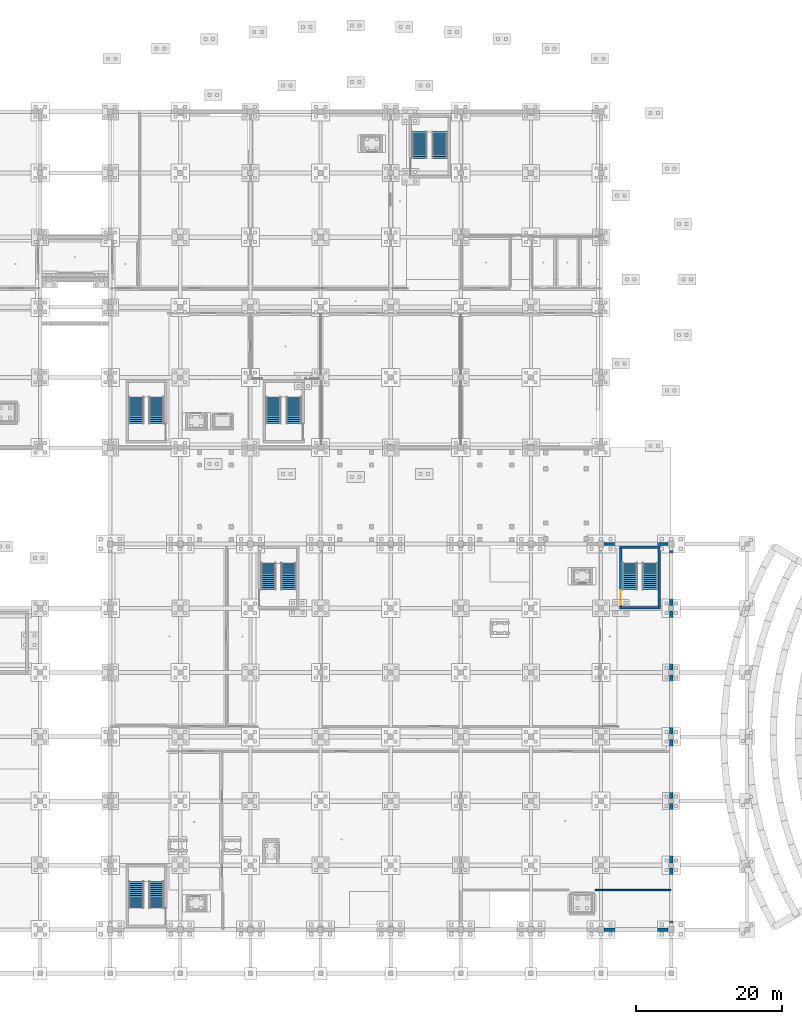
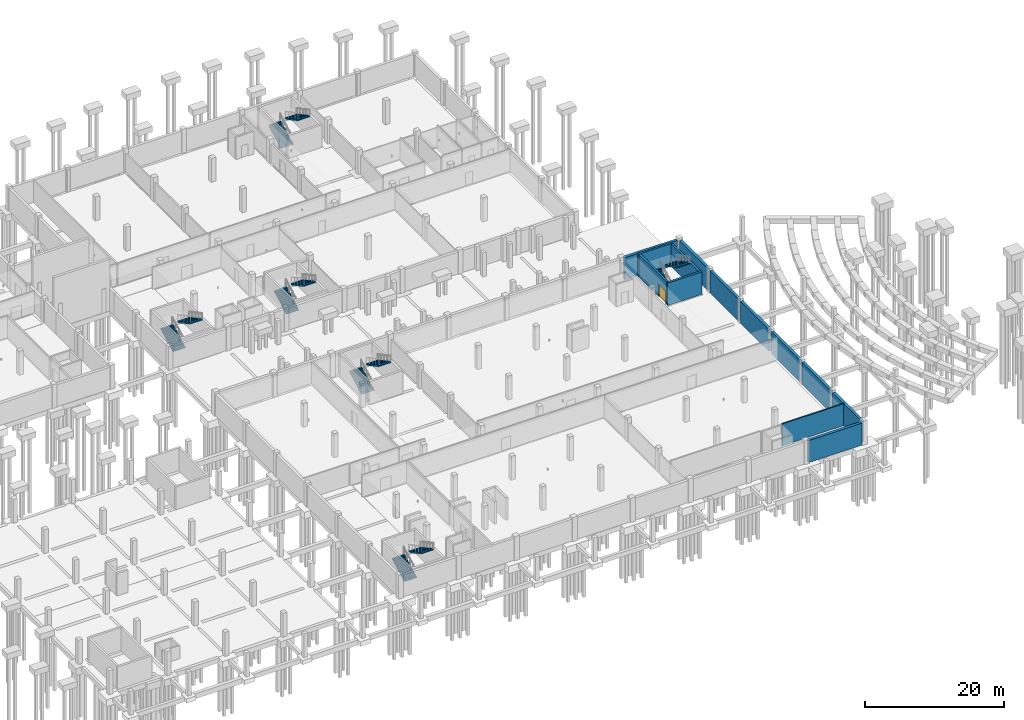
# One storey, part 18 of 31: 13 walls, 12 stair flights, 1 door, 1 opening, 6 elements without a shape of their own.
"""IFC4 building model written with IfcOpenShell, lengths in metres."""

from ifc_helpers import new_model, si_unit, direction, frame, frame_2d, origin, place, context, subcontext, project, spatial, polyline, rectangle, outline, extrude, material, layer, layer_set, type_object, element, fill, aggregate, save


model = new_model("IFC4")

# Units and contexts
model_context = context("Model", 3, precision=1e-05, world=origin(), true_north=direction((0.0, 1.0)))
body_context = subcontext(model_context, "Body", "Model", "MODEL_VIEW")
ifc_project = project(units=[si_unit("LENGTHUNIT", "METRE"), si_unit("AREAUNIT", "SQUARE_METRE"), si_unit("VOLUMEUNIT", "CUBIC_METRE"), si_unit("PLANEANGLEUNIT", "RADIAN"), si_unit("MASSUNIT", "GRAM", prefix="KILO")], contexts=[model_context])

# Site, building, storey
site_placement = place(None, origin())
site = spatial("IfcSite", under=ifc_project, at=site_placement, CompositionType="ELEMENT")
building_placement = place(site_placement, origin())
building = spatial("IfcBuilding", under=site, at=building_placement, Name="Chalmorin Arch Market", CompositionType="ELEMENT")
storey_placement = place(building_placement, frame((0.0, 0.0, -4.199951171875)))
storey = spatial("IfcBuildingStorey", under=building, at=storey_placement, Name="B1", CompositionType="ELEMENT", Elevation=-4.199951171875)

# Walls
ifc_material_1 = material(Name="Concrete C40/50", Category="concrete")
ifc_layer_1 = layer(ifc_material_1, 0.449951171875)
ifc_layer_set_1 = layer_set([ifc_layer_1], Name="Concrete C40/50")
wall_type_1 = type_object("IfcWallType", Name="BasementFloodwall-450", PredefinedType="SOLIDWALL", material=ifc_layer_set_1)
wall_1_placement = place(storey_placement, frame((115.60009765625, 6.0, 0.0), z_axis=(0.0, 0.0, 1.0), x_axis=(1.0, 0.0, 0.0)))
element("IfcWall", 1, at=wall_1_placement, inside=storey, type_object=wall_type_1, Name="BFW-450-008", PredefinedType="SOLIDWALL", context=body_context, shape_type="SweptSolid", body=[
    extrude(rectangle(XDim=8.7998046875, YDim=0.449951171875, at=frame_2d((4.39990234375, 0.0))), origin(), (0.0, 0.0, 1.0), 3.83984375),
])
wall_2_placement = place(storey_placement, frame((124.800048828125, 6.39990234375, 0.0), z_axis=(0.0, 0.0, 1.0), x_axis=(0.0, 1.0, 0.0)))
element("IfcWall", 2, at=wall_2_placement, inside=storey, type_object=wall_type_1, Name="BFW-450-009", PredefinedType="SOLIDWALL", context=body_context, shape_type="SweptSolid", body=[
    extrude(rectangle(XDim=8.050048828125, YDim=0.449951171875, at=frame_2d((4.02490234375, 0.0))), origin(), (0.0, 0.0, 1.0), 3.83984375),
])
for number, where, z_axis, x_axis, name in (
    (3, (124.800048828125, 15.14990234375, 0.0), (0.0, 0.0, 1.0), (0.0, 1.0, 0.0), "BFW-450-010"),
    (4, (124.800048828125, 23.949951171875, 0.0), (0.0, 0.0, 1.0), (0.0, 1.0, 0.0), "BFW-450-011"),
    (5, (124.800048828125, 32.75, 0.0), (0.0, 0.0, 1.0), (0.0, 1.0, 0.0), "BFW-450-012"),
):
    element("IfcWall", number, at=place(storey_placement, frame(where, z_axis=z_axis, x_axis=x_axis)), inside=storey, type_object=wall_type_1, Name=name, PredefinedType="SOLIDWALL", context=body_context, shape_type="SweptSolid", body=[
        extrude(rectangle(XDim=8.10009765625, YDim=0.449951171875, at=frame_2d((4.050048828125, 0.0))), origin(), (0.0, 0.0, 1.0), 3.83984375),
    ])
wall_3_placement = place(storey_placement, frame((124.800048828125, 41.550048828125, 0.0), z_axis=(0.0, 0.0, 1.0), x_axis=(0.0, 1.0, 0.0)))
element("IfcWall", 6, at=wall_3_placement, inside=storey, type_object=wall_type_1, Name="BFW-450-013", PredefinedType="SOLIDWALL", context=body_context, shape_type="SweptSolid", body=[
    extrude(rectangle(XDim=8.099853515625, YDim=0.449951171875, at=frame_2d((4.0498046875, 0.0))), origin(), (0.0, 0.0, 1.0), 3.83984375),
])
wall_4_placement = place(storey_placement, frame((124.800048828125, 50.35009765625, 0.0), z_axis=(0.0, 0.0, 1.0), x_axis=(0.0, 1.0, 0.0)))
element("IfcWall", 7, at=wall_4_placement, inside=storey, type_object=wall_type_1, Name="BFW-450-014", PredefinedType="SOLIDWALL", context=body_context, shape_type="SweptSolid", body=[
    extrude(rectangle(XDim=8.0498046875, YDim=0.449951171875, at=frame_2d((4.02490234375, 0.0))), origin(), (0.0, 0.0, 1.0), 3.83984375),
])
wall_5_placement = place(storey_placement, frame((124.39990234375, 58.800048828125, 0.0), z_axis=(0.0, 0.0, 1.0), x_axis=(-1.0, 0.0, 0.0)))
element("IfcWall", 8, at=wall_5_placement, inside=storey, type_object=wall_type_1, Name="BFW-450-015", PredefinedType="SOLIDWALL", context=body_context, shape_type="SweptSolid", body=[
    extrude(rectangle(XDim=8.7998046875, YDim=0.449951171875, at=frame_2d((4.39990234375, 0.0))), origin(), (0.0, 0.0, 1.0), 3.83984375),
])
ifc_material_2 = material(Name="Galvanised Steel", Category="steel")
ifc_layer_2 = layer(ifc_material_2, 0.219970703125)
ifc_layer_set_2 = layer_set([ifc_layer_2], Name="Galvanised Steel")
wall_type_2 = type_object("IfcWallType", Name="ColdStoreInsulatedWall-220", PredefinedType="PARTITIONING", material=ifc_layer_set_2)
wall_6_placement = place(storey_placement, frame((114.4150390625, 11.39990234375, 0.0), z_axis=(0.0, 0.0, 1.0), x_axis=(1.0, 0.0, 0.0)))
element("IfcWall", 9, at=wall_6_placement, inside=storey, type_object=wall_type_2, Name="CIW-220-382", PredefinedType="PARTITIONING", context=body_context, shape_type="SweptSolid", body=[
    extrude(rectangle(XDim=10.3349609375, YDim=0.219970703125, at=frame_2d((5.16748046875, 0.0))), origin(), (0.0, 0.0, 1.0), 3.83984375),
])
ifc_layer_3 = layer(ifc_material_1, 0.35009765625)
ifc_layer_set_3 = layer_set([ifc_layer_3], Name="Concrete C40/50")
wall_type_3 = type_object("IfcWallType", Name="CoreShearWall-350", PredefinedType="SHEAR", material=ifc_layer_set_3)
for number, where, z_axis, x_axis, name in (
    (10, (123.375, 50.050048828125, 0.0), (0.0, 0.0, 1.0), (-1.0, 0.0, 0.0), "CSW-350-049"),
    (11, (117.72509765625, 58.35009765625, 0.0), (0.0, 0.0, 1.0), (1.0, 0.0, 0.0), "CSW-350-050"),
):
    element("IfcWall", number, at=place(storey_placement, frame(where, z_axis=z_axis, x_axis=x_axis)), inside=storey, type_object=wall_type_3, Name=name, PredefinedType="SHEAR", context=body_context, shape_type="SweptSolid", body=[
        extrude(rectangle(XDim=5.64990234375, YDim=0.35009765625, at=frame_2d((2.824951171875, 0.0))), origin(), (0.0, 0.0, 1.0), 3.949951171875),
    ])

# Wall, opening, door
wall_7_placement = place(storey_placement, frame((117.89990234375, 50.22509765625, 0.0), z_axis=(0.0, 0.0, 1.0), x_axis=(0.0, 1.0, 0.0)))
wall_7 = element("IfcWall", 12, at=wall_7_placement, inside=storey, type_object=wall_type_3, Name="CSW-350-051", PredefinedType="SHEAR", context=body_context, shape_type="SweptSolid", body=[
    extrude(rectangle(XDim=7.949951171875, YDim=0.35009765625, at=frame_2d((3.97509765625, 0.0))), origin(), (0.0, 0.0, 1.0), 3.949951171875),
])
opening_placement = place(wall_7_placement, frame((0.219970703125, 0.0, 0.0)))
opening = element("IfcOpeningElement", 13, at=opening_placement, cuts=wall_7, Name="Opening FD-SC4-B1", PredefinedType="OPENING", context=body_context, shape_type="SweptSolid", body=[
    extrude(rectangle(XDim=2.050048828125, YDim=2.14990234375, at=frame_2d((1.02490234375, 1.074951171875))), frame((0.0, 0.18505859375, 0.0), z_axis=(0.0, -1.0, 0.0), x_axis=(1.0, 0.0, 0.0)), (0.0, 0.0, 1.0), 0.3701171875),
])
door_type = type_object("IfcDoorType", Name="DoubleFireExitDoor-2050x2150", OperationType="DOUBLE_DOOR_SINGLE_SWING", PredefinedType="DOOR", material=ifc_material_2)
door_placement = place(opening_placement, origin())
door = element("IfcDoor", 14, at=door_placement, inside=storey, type_object=door_type, Name="FD-SC4-B1", OperationType="DOUBLE_DOOR_SINGLE_SWING", OverallHeight=2.14990234375, OverallWidth=2.050048828125, PredefinedType="DOOR", context=body_context, shape_type="SweptSolid", body=[
    extrude(rectangle(XDim=2.050048828125, YDim=2.14990234375, at=frame_2d((1.02490234375, 1.074951171875))), frame((0.0, 0.02490234375, 0.0), z_axis=(0.0, -1.0, 0.0), x_axis=(1.0, 0.0, 0.0)), (0.0, 0.0, 1.0), 0.050048828125),
])
fill(opening, door)

# Wall
wall_8_placement = place(storey_placement, frame((123.199951171875, 58.175048828125, 0.0), z_axis=(0.0, 0.0, 1.0), x_axis=(0.0, -1.0, 0.0)))
element("IfcWall", 15, at=wall_8_placement, inside=storey, type_object=wall_type_3, Name="CSW-350-052", PredefinedType="SHEAR", context=body_context, shape_type="SweptSolid", body=[
    extrude(rectangle(XDim=7.949951171875, YDim=0.35009765625, at=frame_2d((3.97509765625, 0.0))), origin(), (0.0, 0.0, 1.0), 3.949951171875),
])

# Stair, stair flights
stair_type_1 = type_object("IfcStairType", Name="DoglegExitStair-28R-SC3", PredefinedType="HALF_TURN_STAIR", material=ifc_material_1)
stair_1_placement = place(storey_placement, origin())
stair_1 = element("IfcStair", 16, at=stair_1_placement, inside=storey, type_object=stair_type_1, Name="ST-05", PredefinedType="HALF_TURN_STAIR")
ifc_layer_4 = layer(ifc_material_1, 0.1650390625)
ifc_layer_set_4 = layer_set([ifc_layer_4], Name="Concrete C40/50")
stair_flight_type = type_object("IfcStairFlightType", Name="CoreStairFlight-2050", PredefinedType="STRAIGHT", material=ifc_layer_set_4)
stair_flight_1_placement = place(storey_placement, frame((51.56494140625, 8.9599609375, 0.0), z_axis=(0.0, 0.0, 1.0), x_axis=(0.0, 1.0, 0.0)))
stair_flight_1 = element("IfcStairFlight", 17, at=stair_flight_1_placement, type_object=stair_flight_type, Name="ST-05-F1", NumberOfRisers=14, NumberOfTreads=13, PredefinedType="STRAIGHT", RiserHeight=0.15, TreadLength=0.28, context=body_context, shape_type="SweptSolid", body=[
    extrude(outline(polyline([(0.0, 0.0), (0.0, 0.14990234375), (0.280029296875, 0.14990234375), (0.280029296875, 0.300048828125), (0.56005859375, 0.300048828125), (0.56005859375, 0.449951171875), (0.840087890625, 0.449951171875), (0.840087890625, 0.60009765625), (1.1201171875, 0.60009765625), (1.1201171875, 0.75), (1.39990234375, 0.75), (1.39990234375, 0.89990234375), (1.679931640625, 0.89990234375), (1.679931640625, 1.050048828125), (1.9599609375, 1.050048828125), (1.9599609375, 1.199951171875), (2.239990234375, 1.199951171875), (2.239990234375, 1.35009765625), (2.52001953125, 1.35009765625), (2.52001953125, 1.5), (2.800048828125, 1.5), (2.800048828125, 1.64990234375), (3.080078125, 1.64990234375), (3.080078125, 1.800048828125), (3.360107421875, 1.800048828125), (3.360107421875, 1.949951171875), (3.639892578125, 1.949951171875), (3.639892578125, 2.10009765625), (3.639892578125, 1.7626953125), (0.349609375, 0.0), (0.0, 0.0)])), frame((0.0, 1.02490234375, 0.0), z_axis=(0.0, -1.0, 0.0), x_axis=(1.0, 0.0, 0.0)), (0.0, 0.0, 1.0), 2.050048828125),
])
stair_flight_2_placement = place(storey_placement, frame((54.3349609375, 12.60009765625, 2.099853515625), z_axis=(0.0, 0.0, 1.0), x_axis=(0.0, -1.0, 0.0)))
stair_flight_2 = element("IfcStairFlight", 18, at=stair_flight_2_placement, type_object=stair_flight_type, Name="ST-05-F2", NumberOfRisers=14, NumberOfTreads=13, PredefinedType="STRAIGHT", RiserHeight=0.15, TreadLength=0.28, context=body_context, shape_type="SweptSolid", body=[
    extrude(outline(polyline([(0.0, 0.0), (0.0, 0.14990234375), (0.280029296875, 0.14990234375), (0.280029296875, 0.300048828125), (0.56005859375, 0.300048828125), (0.56005859375, 0.449951171875), (0.840087890625, 0.449951171875), (0.840087890625, 0.60009765625), (1.1201171875, 0.60009765625), (1.1201171875, 0.75), (1.39990234375, 0.75), (1.39990234375, 0.89990234375), (1.679931640625, 0.89990234375), (1.679931640625, 1.050048828125), (1.9599609375, 1.050048828125), (1.9599609375, 1.199951171875), (2.239990234375, 1.199951171875), (2.239990234375, 1.35009765625), (2.52001953125, 1.35009765625), (2.52001953125, 1.5), (2.800048828125, 1.5), (2.800048828125, 1.64990234375), (3.080078125, 1.64990234375), (3.080078125, 1.800048828125), (3.360107421875, 1.800048828125), (3.360107421875, 1.949951171875), (3.639892578125, 1.949951171875), (3.639892578125, 2.10009765625), (3.639892578125, 1.7626953125), (0.349609375, 0.0), (0.0, 0.0)])), frame((0.0, 1.02490234375, 0.0), z_axis=(0.0, -1.0, 0.0), x_axis=(1.0, 0.0, 0.0)), (0.0, 0.0, 1.0), 2.050048828125),
])
aggregate(stair_1, [stair_flight_1, stair_flight_2])

stair_type_2 = type_object("IfcStairType", Name="DoglegExitStair-28R-SC4", PredefinedType="HALF_TURN_STAIR", material=ifc_material_1)
stair_2_placement = place(storey_placement, origin())
stair_2 = element("IfcStair", 19, at=stair_2_placement, inside=storey, type_object=stair_type_2, Name="ST-08", PredefinedType="HALF_TURN_STAIR")
stair_flight_3_placement = place(storey_placement, frame((119.1650390625, 52.56005859375, 0.0), z_axis=(0.0, 0.0, 1.0), x_axis=(0.0, 1.0, 0.0)))
stair_flight_3 = element("IfcStairFlight", 20, at=stair_flight_3_placement, type_object=stair_flight_type, Name="ST-08-F1", NumberOfRisers=14, NumberOfTreads=13, PredefinedType="STRAIGHT", RiserHeight=0.15, TreadLength=0.28, context=body_context, shape_type="SweptSolid", body=[
    extrude(outline(polyline([(0.0, 0.0), (0.0, 0.14990234375), (0.280029296875, 0.14990234375), (0.280029296875, 0.300048828125), (0.56005859375, 0.300048828125), (0.56005859375, 0.449951171875), (0.840087890625, 0.449951171875), (0.840087890625, 0.60009765625), (1.1201171875, 0.60009765625), (1.1201171875, 0.75), (1.39990234375, 0.75), (1.39990234375, 0.89990234375), (1.679931640625, 0.89990234375), (1.679931640625, 1.050048828125), (1.9599609375, 1.050048828125), (1.9599609375, 1.199951171875), (2.239990234375, 1.199951171875), (2.239990234375, 1.35009765625), (2.52001953125, 1.35009765625), (2.52001953125, 1.5), (2.800048828125, 1.5), (2.800048828125, 1.64990234375), (3.080078125, 1.64990234375), (3.080078125, 1.800048828125), (3.360107421875, 1.800048828125), (3.360107421875, 1.949951171875), (3.639892578125, 1.949951171875), (3.639892578125, 2.10009765625), (3.639892578125, 1.7626953125), (0.349609375, 0.0), (0.0, 0.0)])), frame((0.0, 1.02490234375, 0.0), z_axis=(0.0, -1.0, 0.0), x_axis=(1.0, 0.0, 0.0)), (0.0, 0.0, 1.0), 2.050048828125),
])
stair_flight_4_placement = place(storey_placement, frame((121.93505859375, 56.199951171875, 2.099853515625), z_axis=(0.0, 0.0, 1.0), x_axis=(0.0, -1.0, 0.0)))
stair_flight_4 = element("IfcStairFlight", 21, at=stair_flight_4_placement, type_object=stair_flight_type, Name="ST-08-F2", NumberOfRisers=14, NumberOfTreads=13, PredefinedType="STRAIGHT", RiserHeight=0.15, TreadLength=0.28, context=body_context, shape_type="SweptSolid", body=[
    extrude(outline(polyline([(0.0, 0.0), (0.0, 0.14990234375), (0.280029296875, 0.14990234375), (0.280029296875, 0.300048828125), (0.56005859375, 0.300048828125), (0.56005859375, 0.449951171875), (0.840087890625, 0.449951171875), (0.840087890625, 0.60009765625), (1.1201171875, 0.60009765625), (1.1201171875, 0.75), (1.39990234375, 0.75), (1.39990234375, 0.89990234375), (1.679931640625, 0.89990234375), (1.679931640625, 1.050048828125), (1.9599609375, 1.050048828125), (1.9599609375, 1.199951171875), (2.239990234375, 1.199951171875), (2.239990234375, 1.35009765625), (2.52001953125, 1.35009765625), (2.52001953125, 1.5), (2.800048828125, 1.5), (2.800048828125, 1.64990234375), (3.080078125, 1.64990234375), (3.080078125, 1.800048828125), (3.360107421875, 1.800048828125), (3.360107421875, 1.949951171875), (3.639892578125, 1.949951171875), (3.639892578125, 2.10009765625), (3.639892578125, 1.7626953125), (0.349609375, 0.0), (0.0, 0.0)])), frame((0.0, 1.02490234375, 0.0), z_axis=(0.0, -1.0, 0.0), x_axis=(1.0, 0.0, 0.0)), (0.0, 0.0, 1.0), 2.050048828125),
])
aggregate(stair_2, [stair_flight_3, stair_flight_4])

stair_type_3 = type_object("IfcStairType", Name="DoglegExitStair-28R-SC5", PredefinedType="HALF_TURN_STAIR", material=ifc_material_1)
stair_3_placement = place(storey_placement, origin())
stair_3 = element("IfcStair", 22, at=stair_3_placement, inside=storey, type_object=stair_type_3, Name="ST-11", PredefinedType="HALF_TURN_STAIR")
stair_flight_5_placement = place(storey_placement, frame((51.56494140625, 75.31005859375, 0.0), z_axis=(0.0, 0.0, 1.0), x_axis=(0.0, 1.0, 0.0)))
stair_flight_5 = element("IfcStairFlight", 23, at=stair_flight_5_placement, type_object=stair_flight_type, Name="ST-11-F1", NumberOfRisers=14, NumberOfTreads=13, PredefinedType="STRAIGHT", RiserHeight=0.15, TreadLength=0.28, context=body_context, shape_type="SweptSolid", body=[
    extrude(outline(polyline([(0.0, 0.0), (0.0, 0.14990234375), (0.280029296875, 0.14990234375), (0.280029296875, 0.300048828125), (0.56005859375, 0.300048828125), (0.56005859375, 0.449951171875), (0.840087890625, 0.449951171875), (0.840087890625, 0.60009765625), (1.1201171875, 0.60009765625), (1.1201171875, 0.75), (1.39990234375, 0.75), (1.39990234375, 0.89990234375), (1.679931640625, 0.89990234375), (1.679931640625, 1.050048828125), (1.9599609375, 1.050048828125), (1.9599609375, 1.199951171875), (2.239990234375, 1.199951171875), (2.239990234375, 1.35009765625), (2.52001953125, 1.35009765625), (2.52001953125, 1.5), (2.800048828125, 1.5), (2.800048828125, 1.64990234375), (3.080078125, 1.64990234375), (3.080078125, 1.800048828125), (3.360107421875, 1.800048828125), (3.360107421875, 1.949951171875), (3.639892578125, 1.949951171875), (3.639892578125, 2.10009765625), (3.639892578125, 1.7626953125), (0.349609375, 0.0), (0.0, 0.0)])), frame((0.0, 1.02490234375, 0.0), z_axis=(0.0, -1.0, 0.0), x_axis=(1.0, 0.0, 0.0)), (0.0, 0.0, 1.0), 2.050048828125),
])
stair_flight_6_placement = place(storey_placement, frame((54.3349609375, 78.949951171875, 2.099853515625), z_axis=(0.0, 0.0, 1.0), x_axis=(0.0, -1.0, 0.0)))
stair_flight_6 = element("IfcStairFlight", 24, at=stair_flight_6_placement, type_object=stair_flight_type, Name="ST-11-F2", NumberOfRisers=14, NumberOfTreads=13, PredefinedType="STRAIGHT", RiserHeight=0.15, TreadLength=0.28, context=body_context, shape_type="SweptSolid", body=[
    extrude(outline(polyline([(0.0, 0.0), (0.0, 0.14990234375), (0.280029296875, 0.14990234375), (0.280029296875, 0.300048828125), (0.56005859375, 0.300048828125), (0.56005859375, 0.449951171875), (0.840087890625, 0.449951171875), (0.840087890625, 0.60009765625), (1.1201171875, 0.60009765625), (1.1201171875, 0.75), (1.39990234375, 0.75), (1.39990234375, 0.89990234375), (1.679931640625, 0.89990234375), (1.679931640625, 1.050048828125), (1.9599609375, 1.050048828125), (1.9599609375, 1.199951171875), (2.239990234375, 1.199951171875), (2.239990234375, 1.35009765625), (2.52001953125, 1.35009765625), (2.52001953125, 1.5), (2.800048828125, 1.5), (2.800048828125, 1.64990234375), (3.080078125, 1.64990234375), (3.080078125, 1.800048828125), (3.360107421875, 1.800048828125), (3.360107421875, 1.949951171875), (3.639892578125, 1.949951171875), (3.639892578125, 2.10009765625), (3.639892578125, 1.7626953125), (0.349609375, 0.0), (0.0, 0.0)])), frame((0.0, 1.02490234375, 0.0), z_axis=(0.0, -1.0, 0.0), x_axis=(1.0, 0.0, 0.0)), (0.0, 0.0, 1.0), 2.050048828125),
])
aggregate(stair_3, [stair_flight_5, stair_flight_6])

stair_type_4 = type_object("IfcStairType", Name="DoglegExitStair-28R-SC6", PredefinedType="HALF_TURN_STAIR", material=ifc_material_1)
stair_4_placement = place(storey_placement, origin())
stair_4 = element("IfcStair", 25, at=stair_4_placement, inside=storey, type_object=stair_type_4, Name="ST-15", PredefinedType="HALF_TURN_STAIR")
stair_flight_7_placement = place(storey_placement, frame((90.364990234375, 111.610107421875, 0.0), z_axis=(0.0, 0.0, 1.0), x_axis=(0.0, 1.0, 0.0)))
stair_flight_7 = element("IfcStairFlight", 26, at=stair_flight_7_placement, type_object=stair_flight_type, Name="ST-15-F1", NumberOfRisers=14, NumberOfTreads=13, PredefinedType="STRAIGHT", RiserHeight=0.15, TreadLength=0.28, context=body_context, shape_type="SweptSolid", body=[
    extrude(outline(polyline([(0.0, 0.0), (0.0, 0.14990234375), (0.280029296875, 0.14990234375), (0.280029296875, 0.300048828125), (0.56005859375, 0.300048828125), (0.56005859375, 0.449951171875), (0.840087890625, 0.449951171875), (0.840087890625, 0.60009765625), (1.1201171875, 0.60009765625), (1.1201171875, 0.75), (1.39990234375, 0.75), (1.39990234375, 0.89990234375), (1.679931640625, 0.89990234375), (1.679931640625, 1.050048828125), (1.9599609375, 1.050048828125), (1.9599609375, 1.199951171875), (2.239990234375, 1.199951171875), (2.239990234375, 1.35009765625), (2.52001953125, 1.35009765625), (2.52001953125, 1.5), (2.800048828125, 1.5), (2.800048828125, 1.64990234375), (3.080078125, 1.64990234375), (3.080078125, 1.800048828125), (3.360107421875, 1.800048828125), (3.360107421875, 1.949951171875), (3.639892578125, 1.949951171875), (3.639892578125, 2.10009765625), (3.639892578125, 1.7626953125), (0.349609375, 0.0), (0.0, 0.0)])), frame((0.0, 1.02490234375, 0.0), z_axis=(0.0, -1.0, 0.0), x_axis=(1.0, 0.0, 0.0)), (0.0, 0.0, 1.0), 2.050048828125),
])
stair_flight_8_placement = place(storey_placement, frame((93.135009765625, 115.25, 2.099853515625), z_axis=(0.0, 0.0, 1.0), x_axis=(0.0, -1.0, 0.0)))
stair_flight_8 = element("IfcStairFlight", 27, at=stair_flight_8_placement, type_object=stair_flight_type, Name="ST-15-F2", NumberOfRisers=14, NumberOfTreads=13, PredefinedType="STRAIGHT", RiserHeight=0.15, TreadLength=0.28, context=body_context, shape_type="SweptSolid", body=[
    extrude(outline(polyline([(0.0, 0.0), (0.0, 0.14990234375), (0.280029296875, 0.14990234375), (0.280029296875, 0.300048828125), (0.56005859375, 0.300048828125), (0.56005859375, 0.449951171875), (0.840087890625, 0.449951171875), (0.840087890625, 0.60009765625), (1.1201171875, 0.60009765625), (1.1201171875, 0.75), (1.39990234375, 0.75), (1.39990234375, 0.89990234375), (1.679931640625, 0.89990234375), (1.679931640625, 1.050048828125), (1.9599609375, 1.050048828125), (1.9599609375, 1.199951171875), (2.239990234375, 1.199951171875), (2.239990234375, 1.35009765625), (2.52001953125, 1.35009765625), (2.52001953125, 1.5), (2.800048828125, 1.5), (2.800048828125, 1.64990234375), (3.080078125, 1.64990234375), (3.080078125, 1.800048828125), (3.360107421875, 1.800048828125), (3.360107421875, 1.949951171875), (3.639892578125, 1.949951171875), (3.639892578125, 2.10009765625), (3.639892578125, 1.7626953125), (0.349609375, 0.0), (0.0, 0.0)])), frame((0.0, 1.02490234375, 0.0), z_axis=(0.0, -1.0, 0.0), x_axis=(1.0, 0.0, 0.0)), (0.0, 0.0, 1.0), 2.050048828125),
])
aggregate(stair_4, [stair_flight_7, stair_flight_8])

stair_type_5 = type_object("IfcStairType", Name="DoglegExitStair-28R-SC7", PredefinedType="HALF_TURN_STAIR", material=ifc_material_1)
stair_5_placement = place(storey_placement, origin())
stair_5 = element("IfcStair", 28, at=stair_5_placement, inside=storey, type_object=stair_type_5, Name="ST-19", PredefinedType="HALF_TURN_STAIR")
stair_flight_9_placement = place(storey_placement, frame((70.364990234375, 75.31005859375, 0.0), z_axis=(0.0, 0.0, 1.0), x_axis=(0.0, 1.0, 0.0)))
stair_flight_9 = element("IfcStairFlight", 29, at=stair_flight_9_placement, type_object=stair_flight_type, Name="ST-19-F1", NumberOfRisers=14, NumberOfTreads=13, PredefinedType="STRAIGHT", RiserHeight=0.15, TreadLength=0.28, context=body_context, shape_type="SweptSolid", body=[
    extrude(outline(polyline([(0.0, 0.0), (0.0, 0.14990234375), (0.280029296875, 0.14990234375), (0.280029296875, 0.300048828125), (0.56005859375, 0.300048828125), (0.56005859375, 0.449951171875), (0.840087890625, 0.449951171875), (0.840087890625, 0.60009765625), (1.1201171875, 0.60009765625), (1.1201171875, 0.75), (1.39990234375, 0.75), (1.39990234375, 0.89990234375), (1.679931640625, 0.89990234375), (1.679931640625, 1.050048828125), (1.9599609375, 1.050048828125), (1.9599609375, 1.199951171875), (2.239990234375, 1.199951171875), (2.239990234375, 1.35009765625), (2.52001953125, 1.35009765625), (2.52001953125, 1.5), (2.800048828125, 1.5), (2.800048828125, 1.64990234375), (3.080078125, 1.64990234375), (3.080078125, 1.800048828125), (3.360107421875, 1.800048828125), (3.360107421875, 1.949951171875), (3.639892578125, 1.949951171875), (3.639892578125, 2.10009765625), (3.639892578125, 1.7626953125), (0.349609375, 0.0), (0.0, 0.0)])), frame((0.0, 1.02490234375, 0.0), z_axis=(0.0, -1.0, 0.0), x_axis=(1.0, 0.0, 0.0)), (0.0, 0.0, 1.0), 2.050048828125),
])
stair_flight_10_placement = place(storey_placement, frame((73.135009765625, 78.949951171875, 2.099853515625), z_axis=(0.0, 0.0, 1.0), x_axis=(0.0, -1.0, 0.0)))
stair_flight_10 = element("IfcStairFlight", 30, at=stair_flight_10_placement, type_object=stair_flight_type, Name="ST-19-F2", NumberOfRisers=14, NumberOfTreads=13, PredefinedType="STRAIGHT", RiserHeight=0.15, TreadLength=0.28, context=body_context, shape_type="SweptSolid", body=[
    extrude(outline(polyline([(0.0, 0.0), (0.0, 0.14990234375), (0.280029296875, 0.14990234375), (0.280029296875, 0.300048828125), (0.56005859375, 0.300048828125), (0.56005859375, 0.449951171875), (0.840087890625, 0.449951171875), (0.840087890625, 0.60009765625), (1.1201171875, 0.60009765625), (1.1201171875, 0.75), (1.39990234375, 0.75), (1.39990234375, 0.89990234375), (1.679931640625, 0.89990234375), (1.679931640625, 1.050048828125), (1.9599609375, 1.050048828125), (1.9599609375, 1.199951171875), (2.239990234375, 1.199951171875), (2.239990234375, 1.35009765625), (2.52001953125, 1.35009765625), (2.52001953125, 1.5), (2.800048828125, 1.5), (2.800048828125, 1.64990234375), (3.080078125, 1.64990234375), (3.080078125, 1.800048828125), (3.360107421875, 1.800048828125), (3.360107421875, 1.949951171875), (3.639892578125, 1.949951171875), (3.639892578125, 2.10009765625), (3.639892578125, 1.7626953125), (0.349609375, 0.0), (0.0, 0.0)])), frame((0.0, 1.02490234375, 0.0), z_axis=(0.0, -1.0, 0.0), x_axis=(1.0, 0.0, 0.0)), (0.0, 0.0, 1.0), 2.050048828125),
])
aggregate(stair_5, [stair_flight_9, stair_flight_10])

stair_type_6 = type_object("IfcStairType", Name="DoglegExitStair-28R-SC8", PredefinedType="HALF_TURN_STAIR", material=ifc_material_1)
stair_6_placement = place(storey_placement, origin())
stair_6 = element("IfcStair", 31, at=stair_6_placement, inside=storey, type_object=stair_type_6, Name="ST-23", PredefinedType="HALF_TURN_STAIR")
stair_flight_11_placement = place(storey_placement, frame((69.6650390625, 52.56005859375, 0.0), z_axis=(0.0, 0.0, 1.0), x_axis=(0.0, 1.0, 0.0)))
stair_flight_11 = element("IfcStairFlight", 32, at=stair_flight_11_placement, type_object=stair_flight_type, Name="ST-23-F1", NumberOfRisers=14, NumberOfTreads=13, PredefinedType="STRAIGHT", RiserHeight=0.15, TreadLength=0.28, context=body_context, shape_type="SweptSolid", body=[
    extrude(outline(polyline([(0.0, 0.0), (0.0, 0.14990234375), (0.280029296875, 0.14990234375), (0.280029296875, 0.300048828125), (0.56005859375, 0.300048828125), (0.56005859375, 0.449951171875), (0.840087890625, 0.449951171875), (0.840087890625, 0.60009765625), (1.1201171875, 0.60009765625), (1.1201171875, 0.75), (1.39990234375, 0.75), (1.39990234375, 0.89990234375), (1.679931640625, 0.89990234375), (1.679931640625, 1.050048828125), (1.9599609375, 1.050048828125), (1.9599609375, 1.199951171875), (2.239990234375, 1.199951171875), (2.239990234375, 1.35009765625), (2.52001953125, 1.35009765625), (2.52001953125, 1.5), (2.800048828125, 1.5), (2.800048828125, 1.64990234375), (3.080078125, 1.64990234375), (3.080078125, 1.800048828125), (3.360107421875, 1.800048828125), (3.360107421875, 1.949951171875), (3.639892578125, 1.949951171875), (3.639892578125, 2.10009765625), (3.639892578125, 1.7626953125), (0.349609375, 0.0), (0.0, 0.0)])), frame((0.0, 1.02490234375, 0.0), z_axis=(0.0, -1.0, 0.0), x_axis=(1.0, 0.0, 0.0)), (0.0, 0.0, 1.0), 2.050048828125),
])
stair_flight_12_placement = place(storey_placement, frame((72.43505859375, 56.199951171875, 2.099853515625), z_axis=(0.0, 0.0, 1.0), x_axis=(0.0, -1.0, 0.0)))
stair_flight_12 = element("IfcStairFlight", 33, at=stair_flight_12_placement, type_object=stair_flight_type, Name="ST-23-F2", NumberOfRisers=14, NumberOfTreads=13, PredefinedType="STRAIGHT", RiserHeight=0.15, TreadLength=0.28, context=body_context, shape_type="SweptSolid", body=[
    extrude(outline(polyline([(0.0, 0.0), (0.0, 0.14990234375), (0.280029296875, 0.14990234375), (0.280029296875, 0.300048828125), (0.56005859375, 0.300048828125), (0.56005859375, 0.449951171875), (0.840087890625, 0.449951171875), (0.840087890625, 0.60009765625), (1.1201171875, 0.60009765625), (1.1201171875, 0.75), (1.39990234375, 0.75), (1.39990234375, 0.89990234375), (1.679931640625, 0.89990234375), (1.679931640625, 1.050048828125), (1.9599609375, 1.050048828125), (1.9599609375, 1.199951171875), (2.239990234375, 1.199951171875), (2.239990234375, 1.35009765625), (2.52001953125, 1.35009765625), (2.52001953125, 1.5), (2.800048828125, 1.5), (2.800048828125, 1.64990234375), (3.080078125, 1.64990234375), (3.080078125, 1.800048828125), (3.360107421875, 1.800048828125), (3.360107421875, 1.949951171875), (3.639892578125, 1.949951171875), (3.639892578125, 2.10009765625), (3.639892578125, 1.7626953125), (0.349609375, 0.0), (0.0, 0.0)])), frame((0.0, 1.02490234375, 0.0), z_axis=(0.0, -1.0, 0.0), x_axis=(1.0, 0.0, 0.0)), (0.0, 0.0, 1.0), 2.050048828125),
])
aggregate(stair_6, [stair_flight_11, stair_flight_12])

save(model, "model.ifc")
